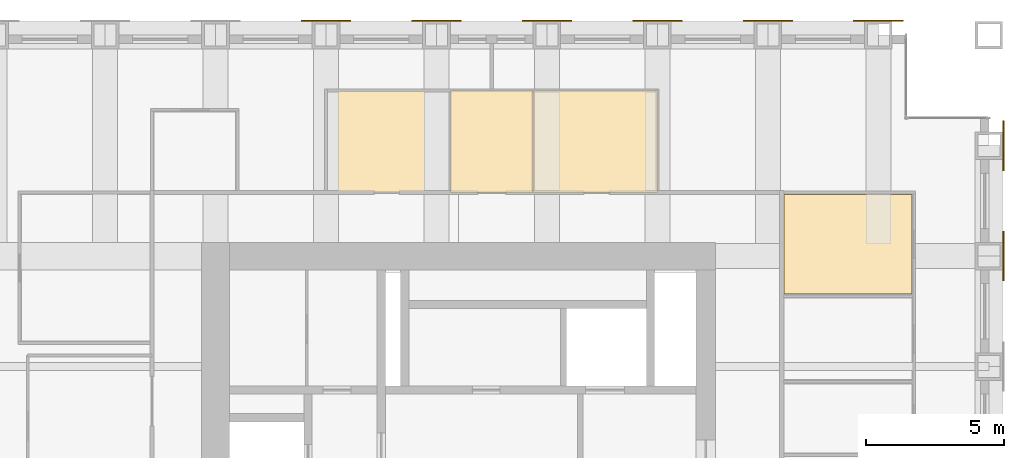
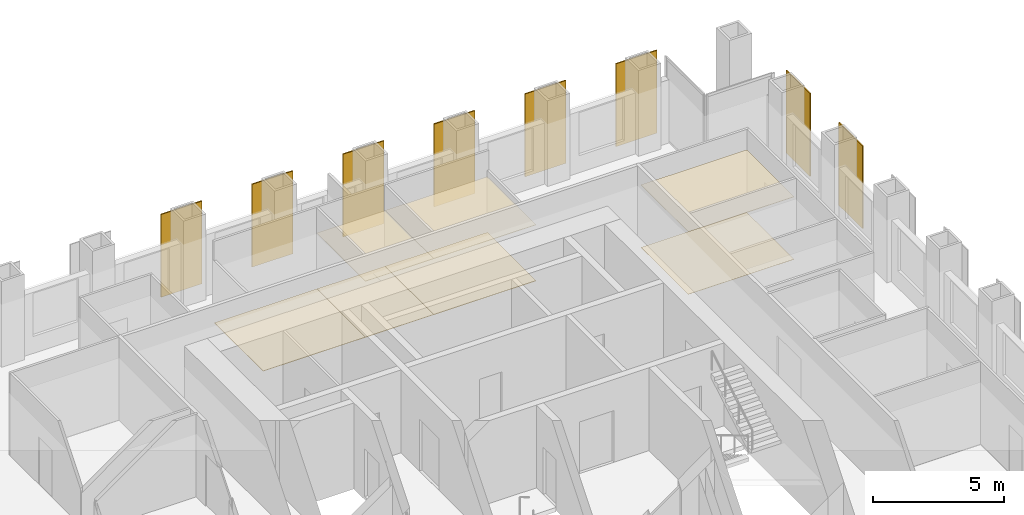
# One storey, part 13 of 13: 8 shading devices, 7 coverings.
"""IFC4 building model written with IfcOpenShell, lengths in metres."""

import ifcopenshell
import ifcopenshell.guid

model = None  # the IFC model being written
_history = None  # IfcOwnerHistory: only IFC2X3 demands one
_inside = {}  # id of a spatial element -> (the spatial element, [elements in it])
_under = {}  # id of a project, library or spatial element -> (it, [spatial elements below it])
_declared = {}  # id of a project -> (the project, [libraries it declares])
_typed = {}  # id of a type object -> (the type object, [elements of that type])
_made_of = {}  # id of a material, layer set ... -> (it, [elements and type objects made of it])


def new_model(schema):
    """Start an empty IFC model of exactly this schema.

    Asked for "IFC4X3", IfcOpenShell would pick the latest addendum, in which some entities
    have other attributes; the version numbers below select the first issue.
    IFC2X3 requires an IfcOwnerHistory on every rooted entity: one is made here for all.
    """
    global model, _history
    if schema == "IFC4X3":
        model = ifcopenshell.file(schema_version=(4, 3, 0, 0))
    else:
        model = ifcopenshell.file(schema=schema)
    _inside.clear()
    _under.clear()
    _declared.clear()
    _typed.clear()
    _made_of.clear()
    _history = None
    if model.schema == "IFC2X3":
        org = make("IfcOrganization", Name="unknown")
        user = make(
            "IfcPersonAndOrganization",
            ThePerson=make("IfcPerson", FamilyName="unknown"),
            TheOrganization=org,
        )
        app = make(
            "IfcApplication",
            ApplicationDeveloper=org,
            Version="unknown",
            ApplicationFullName="unknown",
            ApplicationIdentifier="unknown",
        )
        _history = make(
            "IfcOwnerHistory",
            OwningUser=user,
            OwningApplication=app,
            ChangeAction="ADDED",
            CreationDate=0,
        )
    return model


def make(cls, **values):
    """One entity of the class cls with the attributes given. An attribute that is None is left unset."""
    return model.create_entity(
        cls, **{name: value for name, value in values.items() if value is not None}
    )


def rooted(cls, **values):
    """An entity with a GlobalId (a new one), such as an element, a storey or a relation."""
    return make(cls, GlobalId=ifcopenshell.guid.new(), OwnerHistory=_history, **values)


def si_unit(unit_type, name, prefix=None):
    """IfcSIUnit, for example si_unit("LENGTHUNIT", "METRE", prefix="MILLI")."""
    return make("IfcSIUnit", UnitType=unit_type, Prefix=prefix, Name=name)


def assignment(units):
    """IfcUnitAssignment: the units of a project."""
    return None if units is None else make("IfcUnitAssignment", Units=units)


def point(xyz):
    """IfcCartesianPoint."""
    return None if xyz is None else make("IfcCartesianPoint", Coordinates=xyz)


def direction(xyz):
    """IfcDirection."""
    return None if xyz is None else make("IfcDirection", DirectionRatios=xyz)


def frame(location, z_axis=None, x_axis=None):
    """IfcAxis2Placement3D, a coordinate frame: its origin and axes. An axis left out is left unset."""
    return make(
        "IfcAxis2Placement3D",
        Location=point(location),
        Axis=direction(z_axis),
        RefDirection=direction(x_axis),
    )


def frame_2d(location, x_axis=None):
    """IfcAxis2Placement2D, a coordinate frame in the plane: its origin and x axis."""
    return make(
        "IfcAxis2Placement2D", Location=point(location), RefDirection=direction(x_axis)
    )


def origin():
    """The frame at (0, 0, 0) with its axes left unset."""
    return frame((0.0, 0.0, 0.0))


def origin_2d():
    """The frame at (0, 0) in the plane with its x axis left unset."""
    return frame_2d((0.0, 0.0))


def place(relative_to, where):
    """IfcLocalPlacement: puts the frame where relative to a parent placement (None: the world)."""
    return make(
        "IfcLocalPlacement", PlacementRelTo=relative_to, RelativePlacement=where
    )


def context(
    kind, dimensions, precision=None, world=None, true_north=None, identifier=None
):
    """IfcGeometricRepresentationContext, for example the 3D "Model" context."""
    return make(
        "IfcGeometricRepresentationContext",
        ContextIdentifier=identifier,
        ContextType=kind,
        CoordinateSpaceDimension=dimensions,
        Precision=precision,
        WorldCoordinateSystem=world,
        TrueNorth=true_north,
    )


def subcontext(parent, identifier, kind, view, scale=None):
    """IfcGeometricRepresentationSubContext, for example "Body" below "Model"."""
    return make(
        "IfcGeometricRepresentationSubContext",
        ContextIdentifier=identifier,
        ContextType=kind,
        ParentContext=parent,
        TargetScale=scale,
        TargetView=view,
    )


def project(units=None, contexts=None):
    """IfcProject with its units and contexts."""
    return rooted(
        "IfcProject",
        Name="project",
        RepresentationContexts=contexts,
        UnitsInContext=assignment(units),
    )


def spatial(cls, under=None, at=None, **own):
    """A site, building, storey or space (cls), placed at a placement, below another one or the project."""
    s = rooted(cls, ObjectPlacement=at, **own)
    if under is not None:
        _under.setdefault(under.id(), (under, []))[1].append(s)
    return s


def polyline(points):
    """IfcPolyline through the points."""
    return make("IfcPolyline", Points=[point(p) for p in points])


def profile(cls, at=None, kind="AREA", **sizes):
    """A parametric profile (cls). Its sizes go by their IFC names, for example OverallWidth=200.0."""
    return make(cls, ProfileType=kind, Position=at, **sizes)


def rectangle(**sizes):
    """IfcRectangleProfileDef."""
    return profile("IfcRectangleProfileDef", **sizes)


def outline(outer, holes=None, kind="AREA"):
    """IfcArbitraryClosedProfileDef: a profile drawn as a closed curve; with holes, ...WithVoids."""
    if holes is None:
        return make("IfcArbitraryClosedProfileDef", ProfileType=kind, OuterCurve=outer)
    return make(
        "IfcArbitraryProfileDefWithVoids",
        ProfileType=kind,
        OuterCurve=outer,
        InnerCurves=holes,
    )


def extrude(swept, where, along, depth):
    """IfcExtrudedAreaSolid: the profile swept, set in the frame where, extruded along a direction by depth."""
    return make(
        "IfcExtrudedAreaSolid",
        SweptArea=swept,
        Position=where,
        ExtrudedDirection=direction(along),
        Depth=depth,
    )


def shape(context_of_items, identifier, shape_type, items):
    """IfcShapeRepresentation: the items that make up one representation, for example the "Body"."""
    return make(
        "IfcShapeRepresentation",
        ContextOfItems=context_of_items,
        RepresentationIdentifier=identifier,
        RepresentationType=shape_type,
        Items=items,
    )


def material(Name=None, Category=None):
    """IfcMaterial."""
    return make("IfcMaterial", Name=Name, Category=Category)


def layer(
    of_material, thickness, ventilated=None, Name=None, Category=None, Priority=None
):
    """IfcMaterialLayer: one layer of a wall or slab, of a material (None: an air gap)."""
    return make(
        "IfcMaterialLayer",
        Material=of_material,
        LayerThickness=thickness,
        IsVentilated=ventilated,
        Name=Name,
        Category=Category,
        Priority=Priority,
    )


def layer_set(layers, Name=None):
    """IfcMaterialLayerSet."""
    return make("IfcMaterialLayerSet", MaterialLayers=layers, LayerSetName=Name)


def made_of(thing, what):
    """Note that an element or type object is made of a material, layer set ...; save() writes the relation."""
    if what is not None:
        _made_of.setdefault(what.id(), (what, []))[1].append(thing)
    return thing


def type_object(cls, material=None, **own):
    """A type object (cls), such as IfcWallType, which elements share."""
    return made_of(rooted(cls, **own), material)


def element(
    cls,
    number,
    at=None,
    inside=None,
    cuts=None,
    type_object=None,
    material=None,
    context=None,
    identifier="Body",
    shape_type=None,
    held_by="IfcProductDefinitionShape",
    body=None,
    shapes=None,
    **own,
):
    """One element of the class cls, such as IfcWall. Its Tag is "e" and its number.

    at: its placement. inside: the storey or other place that contains it. cuts: it is an
    opening in that element (IfcRelVoidsElement). A single representation is given by context,
    identifier, shape_type and body (its items); several are given by shapes. held_by: the class
    of the entity that holds the representations. save() writes the other relations.
    """
    e = rooted(cls, Tag="e%d" % number, ObjectPlacement=at, **own)
    if body is not None:
        shapes = [shape(context, identifier, shape_type, body)]
    if shapes is not None:
        e.Representation = make(held_by, Representations=shapes)
    if inside is not None:
        _inside.setdefault(inside.id(), (inside, []))[1].append(e)
    if cuts is not None:
        rooted(
            "IfcRelVoidsElement", RelatingBuildingElement=cuts, RelatedOpeningElement=e
        )
    if type_object is not None:
        _typed.setdefault(type_object.id(), (type_object, []))[1].append(e)
    return made_of(e, material)


def aggregate(whole, parts):
    """IfcRelAggregates: a whole, such as a stair, and the parts it consists of."""
    return rooted("IfcRelAggregates", RelatingObject=whole, RelatedObjects=parts)


def save(model, path):
    """Write the relations noted so far, then the file.

    IfcRelAggregates (storeys below a building ...), IfcRelContainedInSpatialStructure (elements
    in a storey), IfcRelDefinesByType, IfcRelAssociatesMaterial and IfcRelDeclares: one each for
    every whole, place, type object, material and project.
    """
    for whole, parts in _under.values():
        aggregate(whole, parts)
    for where, things in _inside.values():
        rooted(
            "IfcRelContainedInSpatialStructure",
            RelatedElements=things,
            RelatingStructure=where,
        )
    for kind, things in _typed.values():
        rooted("IfcRelDefinesByType", RelatedObjects=things, RelatingType=kind)
    for what, things in _made_of.values():
        rooted("IfcRelAssociatesMaterial", RelatedObjects=things, RelatingMaterial=what)
    for by, libraries in _declared.values():
        rooted("IfcRelDeclares", RelatingContext=by, RelatedDefinitions=libraries)
    model.write(path)


model = new_model("IFC4")

# Units and contexts
model_context = context("Model", 3, precision=1e-05, world=origin(), true_north=direction((0.0, 1.0)))
body_context = subcontext(model_context, "Body", "Model", "MODEL_VIEW")
ifc_project = project(units=[si_unit("LENGTHUNIT", "METRE"), si_unit("AREAUNIT", "SQUARE_METRE"), si_unit("VOLUMEUNIT", "CUBIC_METRE"), si_unit("PLANEANGLEUNIT", "RADIAN"), si_unit("MASSUNIT", "GRAM", prefix="KILO")], contexts=[model_context])

# Site, building, storey
site_placement = place(None, origin())
site = spatial("IfcSite", under=ifc_project, at=site_placement, CompositionType="ELEMENT")
building_placement = place(site_placement, origin())
building = spatial("IfcBuilding", under=site, at=building_placement, Name="Rimbunsela Tower", CompositionType="ELEMENT")
storey_placement = place(building_placement, frame((0.0, 0.0, 286.199951171875)))
storey = spatial("IfcBuildingStorey", under=building, at=storey_placement, Name="L69", CompositionType="ELEMENT", Elevation=286.199951171875)

# Coverings
ifc_material_1 = material(Name="Nylon carpet tile", Category="textile")
ifc_layer_1 = layer(ifc_material_1, 0.010009765625)
ifc_layer_set_1 = layer_set([ifc_layer_1], Name="Carpet tile 10")
covering_type_1 = type_object("IfcCoveringType", Name="Carpet tile 10", PredefinedType="FLOORING", material=ifc_layer_set_1)
covering_1_placement = place(storey_placement, origin())
element("IfcCovering", 1, at=covering_1_placement, inside=storey, type_object=covering_type_1, Name="Floor finish Meeting room", PredefinedType="FLOORING", context=body_context, shape_type="SweptSolid", body=[
    extrude(outline(polyline([(43.22509765625, 34.625), (43.22509765625, 38.22509765625), (38.574951171875, 38.22509765625), (38.574951171875, 34.625), (43.22509765625, 34.625)])), origin(), (0.0, 0.0, 1.0), 0.010009765625),
])
ifc_material_2 = material(Name="Mineral fibre ceiling tile", Category="gypsum")
ifc_layer_2 = layer(ifc_material_2, 0.02001953125)
ifc_layer_set_2 = layer_set([ifc_layer_2], Name="Ceiling 600 grid")
covering_type_2 = type_object("IfcCoveringType", Name="Ceiling 600 grid", PredefinedType="CEILING", material=ifc_layer_set_2)
covering_2_placement = place(storey_placement, frame((0.0, 0.0, 2.900146484375)))
element("IfcCovering", 2, at=covering_2_placement, inside=storey, type_object=covering_type_2, Name="Ceiling Meeting room", PredefinedType="CEILING", context=body_context, shape_type="SweptSolid", body=[
    extrude(outline(polyline([(43.22509765625, 34.625), (43.22509765625, 38.22509765625), (38.574951171875, 38.22509765625), (38.574951171875, 34.625), (43.22509765625, 34.625)])), origin(), (0.0, 0.0, 1.0), 0.02001953125),
])
ifc_material_3 = material(Name="Moisture-resistant plasterboard ceiling", Category="gypsum")
ifc_layer_3 = layer(ifc_material_3, 0.012451171875)
ifc_layer_set_3 = layer_set([ifc_layer_3], Name="Ceiling moisture-resistant board")
covering_type_3 = type_object("IfcCoveringType", Name="Ceiling moisture-resistant board", PredefinedType="CEILING", material=ifc_layer_set_3)
covering_3_placement = place(storey_placement, frame((0.0, 0.0, 2.60009765625)))
element("IfcCovering", 3, at=covering_3_placement, inside=storey, type_object=covering_type_3, Name="Ceiling Accessible WC", PredefinedType="CEILING", context=body_context, shape_type="SweptSolid", body=[
    extrude(outline(polyline([(29.5, 38.300048828125), (29.5, 42.0), (26.5, 42.0), (26.5, 38.300048828125), (29.5, 38.300048828125)])), origin(), (0.0, 0.0, 1.0), 0.02001953125),
])
covering_4_placement = place(storey_placement, frame((0.0, 0.0, 2.60009765625)))
element("IfcCovering", 4, at=covering_4_placement, inside=storey, type_object=covering_type_3, Name="Ceiling Male WC", PredefinedType="CEILING", context=body_context, shape_type="SweptSolid", body=[
    extrude(outline(polyline([(34.0, 38.300048828125), (34.0, 42.0), (29.5, 42.0), (29.5, 38.300048828125), (34.0, 38.300048828125)])), origin(), (0.0, 0.0, 1.0), 0.02001953125),
])
ifc_material_4 = material(Name="Porcelain floor tile in adhesive bed", Category="ceramic")
ifc_layer_4 = layer(ifc_material_4, 0.02001953125)
ifc_layer_set_4 = layer_set([ifc_layer_4], Name="Porcelain tile 20")
covering_type_4 = type_object("IfcCoveringType", Name="Porcelain tile 20", PredefinedType="FLOORING", material=ifc_layer_set_4)
covering_5_placement = place(storey_placement, origin())
element("IfcCovering", 5, at=covering_5_placement, inside=storey, type_object=covering_type_4, Name="Floor finish Female WC", PredefinedType="FLOORING", context=body_context, shape_type="SweptSolid", body=[
    extrude(outline(polyline([(26.5, 38.300048828125), (26.5, 42.0), (22.0, 42.0), (22.0, 38.300048828125), (26.5, 38.300048828125)])), origin(), (0.0, 0.0, 1.0), 0.02001953125),
])
covering_6_placement = place(storey_placement, origin())
element("IfcCovering", 6, at=covering_6_placement, inside=storey, type_object=covering_type_4, Name="Floor finish Accessible WC", PredefinedType="FLOORING", context=body_context, shape_type="SweptSolid", body=[
    extrude(outline(polyline([(29.5, 38.300048828125), (29.5, 42.0), (26.5, 42.0), (26.5, 38.300048828125), (29.5, 38.300048828125)])), origin(), (0.0, 0.0, 1.0), 0.02001953125),
])
covering_7_placement = place(storey_placement, origin())
element("IfcCovering", 7, at=covering_7_placement, inside=storey, type_object=covering_type_4, Name="Floor finish Male WC", PredefinedType="FLOORING", context=body_context, shape_type="SweptSolid", body=[
    extrude(outline(polyline([(34.0, 38.300048828125), (34.0, 42.0), (29.5, 42.0), (29.5, 38.300048828125), (34.0, 38.300048828125)])), origin(), (0.0, 0.0, 1.0), 0.02001953125),
])

# Shading devices
ifc_material_5 = material(Name="Perforated aluminium, 35 % open area", Category="aluminium")
ifc_layer_5 = layer(ifc_material_5, 0.050048828125)
ifc_layer_set_5 = layer_set([ifc_layer_5], Name="Solar screen panel 1800")
shading_device_type = type_object("IfcShadingDeviceType", Name="Solar screen panel 1800", PredefinedType="USERDEFINED", material=ifc_layer_set_5)
for number, where, z_axis, x_axis, name in (
    (8, (46.52490234375, 36.0, 0.0), (0.0, 0.0, 1.0), (0.0, 1.0, 0.0), "Solar screen E L69"),
    (9, (46.52490234375, 40.0, 0.0), (0.0, 0.0, 1.0), (0.0, 1.0, 0.0), "Solar screen E L69"),
    (10, (22.0, 44.52490234375, 0.0), (0.0, 0.0, 1.0), (1.0, 0.0, 0.0), "Solar screen N L69"),
    (11, (26.0, 44.52490234375, 0.0), (0.0, 0.0, 1.0), (1.0, 0.0, 0.0), "Solar screen N L69"),
    (12, (30.0, 44.52490234375, 0.0), (0.0, 0.0, 1.0), (1.0, 0.0, 0.0), "Solar screen N L69"),
    (13, (34.0, 44.52490234375, 0.0), (0.0, 0.0, 1.0), (1.0, 0.0, 0.0), "Solar screen N L69"),
    (14, (38.0, 44.52490234375, 0.0), (0.0, 0.0, 1.0), (1.0, 0.0, 0.0), "Solar screen N L69"),
    (15, (42.0, 44.52490234375, 0.0), (0.0, 0.0, 1.0), (1.0, 0.0, 0.0), "Solar screen N L69"),
):
    element("IfcShadingDevice", number, at=place(storey_placement, frame(where, z_axis=z_axis, x_axis=x_axis)), inside=storey, type_object=shading_device_type, Name=name, ObjectType="SCREEN", PredefinedType="USERDEFINED", context=body_context, shape_type="SweptSolid", body=[
        extrude(rectangle(XDim=1.800048828125, YDim=0.050048828125, at=origin_2d()), origin(), (0.0, 0.0, 1.0), 3.85009765625),
    ])

save(model, "model.ifc")
